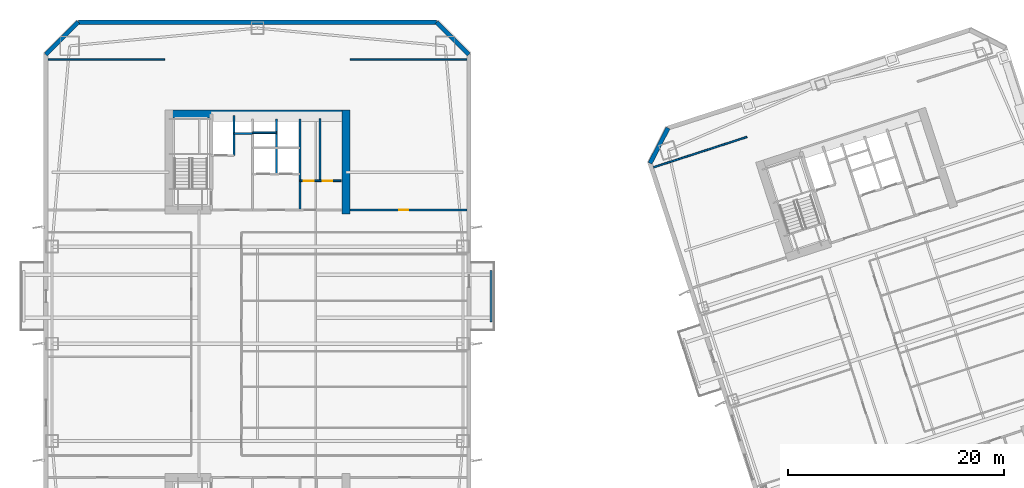
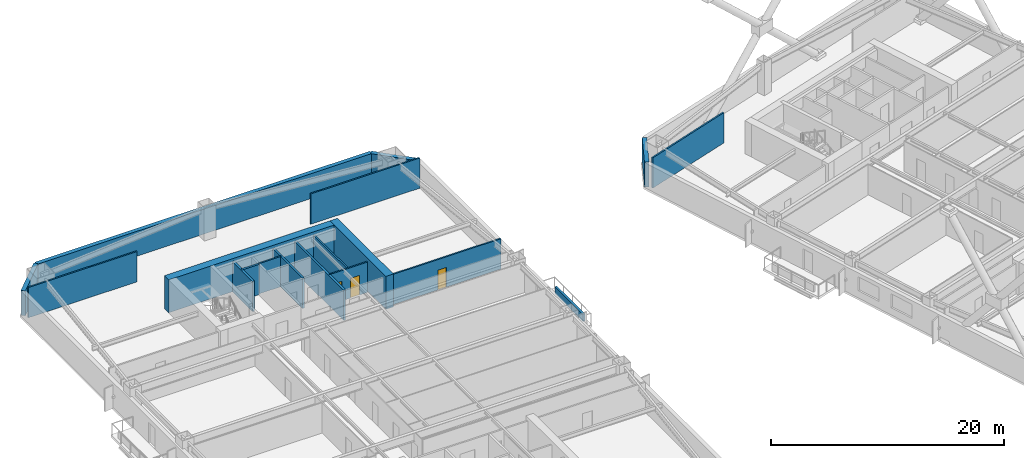
# One storey, part 8 of 19: 18 walls, 3 doors, 3 openings.
"""IFC4 building model written with IfcOpenShell, lengths in metres."""

from ifc_helpers import new_model, si_unit, direction, frame, frame_2d, origin, place, context, subcontext, project, spatial, rectangle, extrude, material, layer, layer_set, type_object, element, fill, save


model = new_model("IFC4")

# Units and contexts
model_context = context("Model", 3, precision=1e-05, world=origin(), true_north=direction((0.0, 1.0)))
body_context = subcontext(model_context, "Body", "Model", "MODEL_VIEW")
ifc_project = project(units=[si_unit("LENGTHUNIT", "METRE"), si_unit("AREAUNIT", "SQUARE_METRE"), si_unit("VOLUMEUNIT", "CUBIC_METRE"), si_unit("PLANEANGLEUNIT", "RADIAN"), si_unit("MASSUNIT", "GRAM", prefix="KILO")], contexts=[model_context])

# Site, building, storey
site_placement = place(None, origin())
site = spatial("IfcSite", under=ifc_project, at=site_placement, CompositionType="ELEMENT")
building_placement = place(site_placement, origin())
building = spatial("IfcBuilding", under=site, at=building_placement, Name="Qiaolan Cultural Towers", CompositionType="ELEMENT")
storey_placement = place(building_placement, frame((0.0, 0.0, 78.199951171875)))
storey = spatial("IfcBuildingStorey", under=building, at=storey_placement, Name="L19", CompositionType="ELEMENT", Elevation=78.199951171875)

# Walls
ifc_material_1 = material(Name="Concrete C60", Category="concrete")
ifc_layer_1 = layer(ifc_material_1, 0.75)
ifc_layer_set_1 = layer_set([ifc_layer_1], Name="Concrete C60")
wall_type_1 = type_object("IfcWallType", Name="WL-CORE-750", PredefinedType="SHEAR", material=ifc_layer_set_1)
wall_1_placement = place(storey_placement, frame((21.425048828125, 55.280029296875, 0.0), z_axis=(0.0, 0.0, 1.0), x_axis=(1.0, 0.0, 0.0)))
element("IfcWall", 1, at=wall_1_placement, inside=storey, type_object=wall_type_1, Name="L19 T1-CN Outer Core Shear Wall", PredefinedType="SHEAR", context=body_context, shape_type="SweptSolid", body=[
    extrude(rectangle(XDim=17.14990234375, YDim=0.75, at=frame_2d((8.574951171875, 0.0))), origin(), (0.0, 0.0, 1.0), 3.449951171875),
])
wall_2_placement = place(storey_placement, frame((38.199951171875, 46.02490234375, 0.0), z_axis=(0.0, 0.0, 1.0), x_axis=(0.0, 1.0, 0.0)))
element("IfcWall", 2, at=wall_2_placement, inside=storey, type_object=wall_type_1, Name="L19 T1-CN East Core Shear Wall", PredefinedType="SHEAR", context=body_context, shape_type="SweptSolid", body=[
    extrude(rectangle(XDim=9.630126953125, YDim=0.75, at=frame_2d((4.81494140625, 0.0))), origin(), (0.0, 0.0, 1.0), 3.449951171875),
])
ifc_material_2 = material(Name="Precast Concrete C50 Honed Stone Pier", Category="masonry")
ifc_layer_2 = layer(ifc_material_2, 0.39990234375)
ifc_layer_set_2 = layer_set([ifc_layer_2], Name="Precast Concrete C50 Honed Stone Pier")
wall_type_2 = type_object("IfcWallType", Name="WL-EXT-PIER-400", PredefinedType="SOLIDWALL", material=ifc_layer_set_2)
wall_3_placement = place(storey_placement, frame((10.39990234375, 60.800048828125, 0.0), z_axis=(0.0, 0.0, 1.0), x_axis=(0.707106781187, 0.707106781187, 0.0)))
element("IfcWall", 3, at=wall_3_placement, inside=storey, type_object=wall_type_2, Name="L19 West Tower Precast Pier Facade Wall F2", PredefinedType="SOLIDWALL", context=body_context, shape_type="SweptSolid", body=[
    extrude(rectangle(XDim=4.24267578125, YDim=0.39990234375, at=frame_2d((2.121337890625, 0.0))), origin(), (0.0, 0.0, 1.0), 2.610107421875),
])
wall_4_placement = place(storey_placement, frame((13.39990234375, 63.800048828125, 0.0), z_axis=(0.0, 0.0, 1.0), x_axis=(1.0, 0.0, 0.0)))
element("IfcWall", 4, at=wall_4_placement, inside=storey, type_object=wall_type_2, Name="L19 West Tower Precast Pier Facade Wall F3", PredefinedType="SOLIDWALL", context=body_context, shape_type="SweptSolid", body=[
    extrude(rectangle(XDim=33.2001953125, YDim=0.39990234375, at=frame_2d((16.60009765625, 0.0))), origin(), (0.0, 0.0, 1.0), 2.610107421875),
])
wall_5_placement = place(storey_placement, frame((46.60009765625, 63.800048828125, 0.0), z_axis=(0.0, 0.0, 1.0), x_axis=(0.707106781187, -0.707106781187, 0.0)))
element("IfcWall", 5, at=wall_5_placement, inside=storey, type_object=wall_type_2, Name="L19 West Tower Precast Pier Facade Wall F4", PredefinedType="SOLIDWALL", context=body_context, shape_type="SweptSolid", body=[
    extrude(rectangle(XDim=4.24267578125, YDim=0.39990234375, at=frame_2d((2.121337890625, 0.0))), origin(), (0.0, 0.0, 1.0), 2.610107421875),
])
wall_6_placement = place(storey_placement, frame((66.37744140625, 50.718505859375, 0.0), z_axis=(0.0, 0.0, 1.0), x_axis=(0.454026238093, 0.890988313685, 0.0)))
element("IfcWall", 6, at=wall_6_placement, inside=storey, type_object=wall_type_2, Name="L19 East Tower Precast Pier Facade Wall F2", PredefinedType="SOLIDWALL", context=body_context, shape_type="SweptSolid", body=[
    extrude(rectangle(XDim=3.677001953125, YDim=0.39990234375, at=frame_2d((1.83837890625, 0.0))), origin(), (0.0, 0.0, 1.0), 2.610107421875),
])
ifc_material_3 = material(Name="Concrete C35 Fire Wall", Category="concrete")
ifc_layer_3 = layer(ifc_material_3, 0.199951171875)
ifc_layer_set_3 = layer_set([ifc_layer_3], Name="Concrete C35 Fire Wall")
wall_type_3 = type_object("IfcWallType", Name="WL-FIRE-200", PredefinedType="PARTITIONING", material=ifc_layer_set_3)
wall_7_placement = place(storey_placement, frame((27.820068359375, 51.449951171875, 0.0), z_axis=(0.0, 0.0, 1.0), x_axis=(0.0, 1.0, 0.0)))
element("IfcWall", 7, at=wall_7_placement, inside=storey, type_object=wall_type_3, Name="L19 T1-CN Firefighting Hoistway East Wall", PredefinedType="PARTITIONING", context=body_context, shape_type="SweptSolid", body=[
    extrude(rectangle(XDim=3.699951171875, YDim=0.199951171875, at=frame_2d((1.85009765625, 0.0))), origin(), (0.0, 0.0, 1.0), 3.175048828125),
])
wall_8_placement = place(storey_placement, frame((27.820068359375, 53.47998046875, 0.0), z_axis=(0.0, 0.0, 1.0), x_axis=(1.0, 0.0, 0.0)))
element("IfcWall", 8, at=wall_8_placement, inside=storey, type_object=wall_type_3, Name="L19 T1-CN Pressurization Shaft Front Wall", PredefinedType="PARTITIONING", context=body_context, shape_type="SweptSolid", body=[
    extrude(rectangle(XDim=1.72998046875, YDim=0.199951171875, at=frame_2d((0.864990234375, 0.0))), origin(), (0.0, 0.0, 1.0), 3.175048828125),
])
wall_9_placement = place(storey_placement, frame((33.949951171875, 46.39990234375, 0.0), z_axis=(0.0, 0.0, 1.0), x_axis=(0.0, 1.0, 0.0)))
element("IfcWall", 9, at=wall_9_placement, inside=storey, type_object=wall_type_3, Name="L19 T1-CN Lift Core East Wall", PredefinedType="PARTITIONING", context=body_context, shape_type="SweptSolid", body=[
    extrude(rectangle(XDim=8.43017578125, YDim=0.199951171875, at=frame_2d((4.215087890625, 0.0))), origin(), (0.0, 0.0, 1.0), 3.175048828125),
])
wall_10_placement = place(storey_placement, frame((31.780029296875, 49.719970703125, 0.0), z_axis=(0.0, 0.0, 1.0), x_axis=(0.0, 1.0, 0.0)))
element("IfcWall", 10, at=wall_10_placement, inside=storey, type_object=wall_type_3, Name="L19 T1-CN Lift Shaft Divider Wall", PredefinedType="PARTITIONING", context=body_context, shape_type="SweptSolid", body=[
    extrude(rectangle(XDim=5.110107421875, YDim=0.199951171875, at=frame_2d((2.55517578125, 0.0))), origin(), (0.0, 0.0, 1.0), 3.175048828125),
])
ifc_material_4 = material(Name="Autoclaved Aerated Concrete Block B06", Category="concrete")
ifc_layer_4 = layer(ifc_material_4, 0.14990234375)
ifc_layer_set_4 = layer_set([ifc_layer_4], Name="Autoclaved Aerated Concrete Block B06")
wall_type_4 = type_object("IfcWallType", Name="WL-PART-150", PredefinedType="PARTITIONING", material=ifc_layer_set_4)
wall_11_placement = place(storey_placement, frame((29.550048828125, 53.550048828125, 0.0), z_axis=(0.0, 0.0, 1.0), x_axis=(1.0, 0.0, 0.0)))
element("IfcWall", 11, at=wall_11_placement, inside=storey, type_object=wall_type_4, Name="L19 T1-CN Core Rear Riser Split", PredefinedType="PARTITIONING", context=body_context, shape_type="SweptSolid", body=[
    extrude(rectangle(XDim=2.22998046875, YDim=0.14990234375, at=frame_2d((1.114990234375, 0.0))), origin(), (0.0, 0.0, 1.0), 3.175048828125),
])

# Wall, openings, doors
wall_12_placement = place(storey_placement, frame((33.949951171875, 49.10009765625, 0.0), z_axis=(0.0, 0.0, 1.0), x_axis=(1.0, 0.0, 0.0)))
wall_12 = element("IfcWall", 12, at=wall_12_placement, inside=storey, type_object=wall_type_4, Name="L19 T1-CN Restroom Vestibule Wall", PredefinedType="PARTITIONING", context=body_context, shape_type="SweptSolid", body=[
    extrude(rectangle(XDim=3.800048828125, YDim=0.14990234375, at=frame_2d((1.89990234375, 0.0))), origin(), (0.0, 0.0, 1.0), 3.175048828125),
])
opening_1_placement = place(wall_12_placement, frame((0.35009765625, 0.0, 0.0)))
opening_1 = element("IfcOpeningElement", 13, at=opening_1_placement, cuts=wall_12, Name="Opening ID-06", PredefinedType="OPENING", context=body_context, shape_type="SweptSolid", body=[
    extrude(rectangle(XDim=0.89990234375, YDim=2.050048828125, at=frame_2d((0.449951171875, 1.02490234375))), frame((0.0, 0.0849609375, 0.0), z_axis=(0.0, -1.0, 0.0), x_axis=(1.0, 0.0, 0.0)), (0.0, 0.0, 1.0), 0.169921875),
])
opening_2_placement = place(wall_12_placement, frame((2.10009765625, 0.0, 0.0)))
opening_2 = element("IfcOpeningElement", 14, at=opening_2_placement, cuts=wall_12, Name="Opening ID-06", PredefinedType="OPENING", context=body_context, shape_type="SweptSolid", body=[
    extrude(rectangle(XDim=0.89990234375, YDim=2.050048828125, at=frame_2d((0.449951171875, 1.02490234375))), frame((0.0, 0.0849609375, 0.0), z_axis=(0.0, -1.0, 0.0), x_axis=(1.0, 0.0, 0.0)), (0.0, 0.0, 1.0), 0.169921875),
])
ifc_material_5 = material(Name="Fire-Rated Laminate Core Service Door", Category="timber")
door_type_1 = type_object("IfcDoorType", Name="DR-INT-900", OperationType="NOTDEFINED", PredefinedType="DOOR", material=ifc_material_5)
door_1_placement = place(opening_1_placement, origin())
door_1 = element("IfcDoor", 15, at=door_1_placement, inside=storey, type_object=door_type_1, Name="L19 Men Restroom Door", OperationType="SINGLE_SWING_LEFT", OverallHeight=2.050048828125, OverallWidth=0.89990234375, PredefinedType="DOOR", context=body_context, shape_type="SweptSolid", body=[
    extrude(rectangle(XDim=0.89990234375, YDim=2.050048828125, at=frame_2d((0.449951171875, 1.02490234375))), frame((0.0, 0.02490234375, 0.0), z_axis=(0.0, -1.0, 0.0), x_axis=(1.0, 0.0, 0.0)), (0.0, 0.0, 1.0), 0.050048828125),
])
fill(opening_1, door_1)
door_2_placement = place(opening_2_placement, origin())
door_2 = element("IfcDoor", 16, at=door_2_placement, inside=storey, type_object=door_type_1, Name="L19 Accessible & Women Restroom Door", OperationType="SINGLE_SWING_RIGHT", OverallHeight=2.050048828125, OverallWidth=0.89990234375, PredefinedType="DOOR", context=body_context, shape_type="SweptSolid", body=[
    extrude(rectangle(XDim=0.89990234375, YDim=2.050048828125, at=frame_2d((0.449951171875, 1.02490234375))), frame((0.0, 0.02490234375, 0.0), z_axis=(0.0, -1.0, 0.0), x_axis=(1.0, 0.0, 0.0)), (0.0, 0.0, 1.0), 0.050048828125),
])
fill(opening_2, door_2)

# Walls
wall_13_placement = place(storey_placement, frame((35.800048828125, 49.10009765625, 0.0), z_axis=(0.0, 0.0, 1.0), x_axis=(0.0, 1.0, 0.0)))
element("IfcWall", 17, at=wall_13_placement, inside=storey, type_object=wall_type_4, Name="L19 T1-CN Restroom Divider Wall", PredefinedType="PARTITIONING", context=body_context, shape_type="SweptSolid", body=[
    extrude(rectangle(XDim=5.72998046875, YDim=0.14990234375, at=frame_2d((2.864990234375, 0.0))), origin(), (0.0, 0.0, 1.0), 3.175048828125),
])
for number, where, z_axis, x_axis, name in (
    (18, (10.60009765625, 60.35009765625, 0.0), (0.0, 0.0, 1.0), (1.0, 0.0, 0.0), "L19 T1 Flank Wall FLK-NW"),
    (19, (38.60009765625, 60.35009765625, 0.0), (0.0, 0.0, 1.0), (1.0, 0.0, 0.0), "L19 T1 Flank Wall FLK-NE"),
):
    element("IfcWall", number, at=place(storey_placement, frame(where, z_axis=z_axis, x_axis=x_axis)), inside=storey, type_object=wall_type_4, Name=name, PredefinedType="PARTITIONING", context=body_context, shape_type="SweptSolid", body=[
        extrude(rectangle(XDim=10.7998046875, YDim=0.14990234375, at=frame_2d((5.39990234375, 0.0))), origin(), (0.0, 0.0, 1.0), 3.175048828125),
    ])

# Wall, opening, door
wall_14_placement = place(storey_placement, frame((38.60009765625, 46.39990234375, 0.0), z_axis=(0.0, 0.0, 1.0), x_axis=(1.0, 0.0, 0.0)))
wall_14 = element("IfcWall", 20, at=wall_14_placement, inside=storey, type_object=wall_type_4, Name="L19 T1 Flank Front FLK-NE", PredefinedType="PARTITIONING", context=body_context, shape_type="SweptSolid", body=[
    extrude(rectangle(XDim=10.7998046875, YDim=0.14990234375, at=frame_2d((5.39990234375, 0.0))), origin(), (0.0, 0.0, 1.0), 3.175048828125),
])
opening_3_placement = place(wall_14_placement, frame((4.535888671875, 0.0, 0.0)))
opening_3 = element("IfcOpeningElement", 21, at=opening_3_placement, cuts=wall_14, Name="Opening ID-09", PredefinedType="OPENING", context=body_context, shape_type="SweptSolid", body=[
    extrude(rectangle(XDim=0.85009765625, YDim=2.050048828125, at=frame_2d((0.425048828125, 1.02490234375))), frame((0.0, 0.0849609375, 0.0), z_axis=(0.0, -1.0, 0.0), x_axis=(1.0, 0.0, 0.0)), (0.0, 0.0, 1.0), 0.169921875),
])
ifc_material_6 = material(Name="Moisture-Resistant Laminate Utility Door", Category="timber")
door_type_2 = type_object("IfcDoorType", Name="DR-INT-850", OperationType="NOTDEFINED", PredefinedType="DOOR", material=ifc_material_6)
door_3_placement = place(opening_3_placement, origin())
door_3 = element("IfcDoor", 22, at=door_3_placement, inside=storey, type_object=door_type_2, Name="L19 T1 Corner Studio Door", OperationType="SINGLE_SWING_LEFT", OverallHeight=2.050048828125, OverallWidth=0.85009765625, PredefinedType="DOOR", context=body_context, shape_type="SweptSolid", body=[
    extrude(rectangle(XDim=0.85009765625, YDim=2.050048828125, at=frame_2d((0.425048828125, 1.02490234375))), frame((0.0, 0.02490234375, 0.0), z_axis=(0.0, -1.0, 0.0), x_axis=(1.0, 0.0, 0.0)), (0.0, 0.0, 1.0), 0.050048828125),
])
fill(opening_3, door_3)

# Walls
wall_15_placement = place(storey_placement, frame((66.706787109375, 50.352294921875, 0.0), z_axis=(0.0, 0.0, 1.0), x_axis=(0.951057133767, 0.309015093986, 0.0)))
element("IfcWall", 23, at=wall_15_placement, inside=storey, type_object=wall_type_4, Name="L19 T2 Flank Wall FLK-NW", PredefinedType="PARTITIONING", context=body_context, shape_type="SweptSolid", body=[
    extrude(rectangle(XDim=9.099853515625, YDim=0.14990234375, at=frame_2d((4.5498046875, 0.0))), origin(), (0.0, 0.0, 1.0), 3.175048828125),
])
ifc_material_7 = material(Name="Precast Concrete C45 Tree Planter Upstand", Category="concrete")
ifc_layer_5 = layer(ifc_material_7, 0.199951171875)
ifc_layer_set_5 = layer_set([ifc_layer_5], Name="Precast Concrete C45 Tree Planter Upstand")
wall_type_5 = type_object("IfcWallType", Name="WL-PLANTER-200", PredefinedType="PARAPET", material=ifc_layer_set_5)
wall_16_placement = place(storey_placement, frame((51.64990234375, 36.0, 0.0), z_axis=(0.0, 0.0, 1.0), x_axis=(0.0, 1.0, 0.0)))
element("IfcWall", 24, at=wall_16_placement, inside=storey, type_object=wall_type_5, Name="L19 T1 Tree Balcony Soil Planter Box E", PredefinedType="PARAPET", context=body_context, shape_type="SweptSolid", body=[
    extrude(rectangle(XDim=4.800048828125, YDim=0.199951171875, at=frame_2d((2.39990234375, 0.0))), origin(), (0.0, 0.0, 1.0), 0.75),
])

save(model, "model.ifc")
